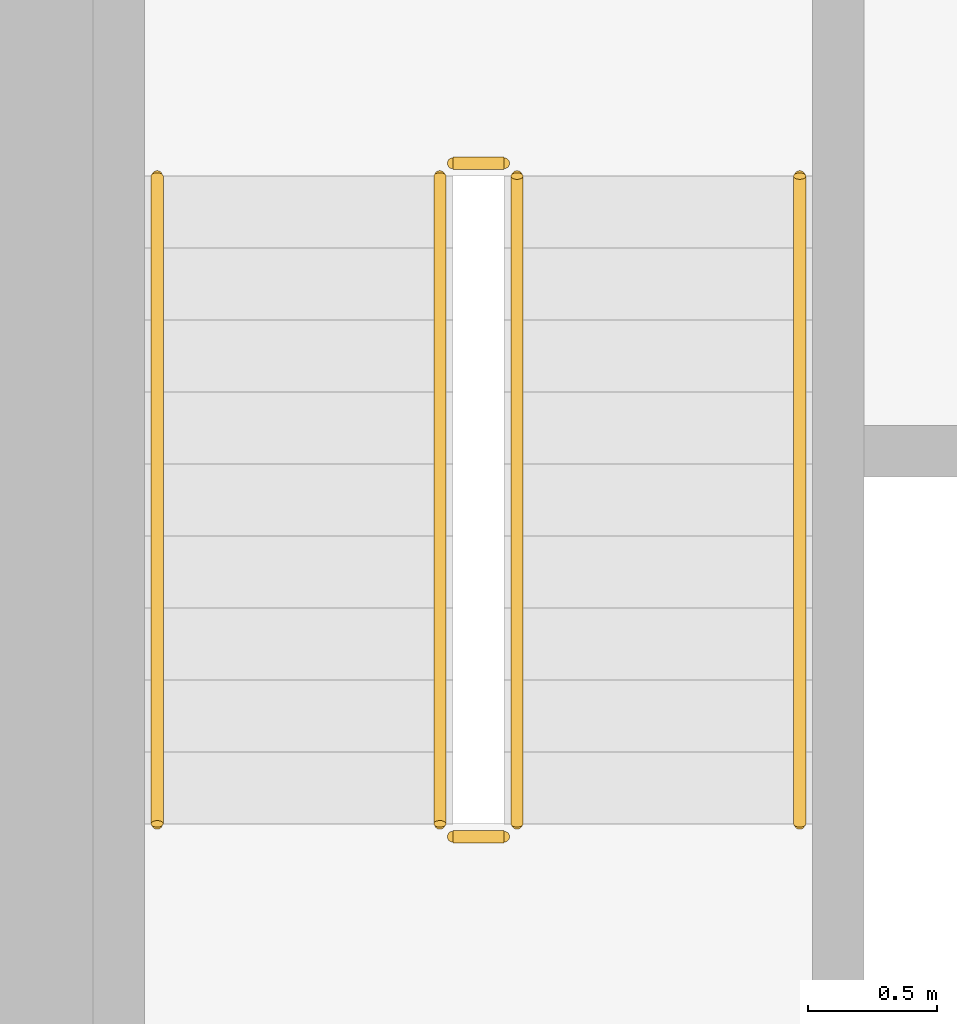
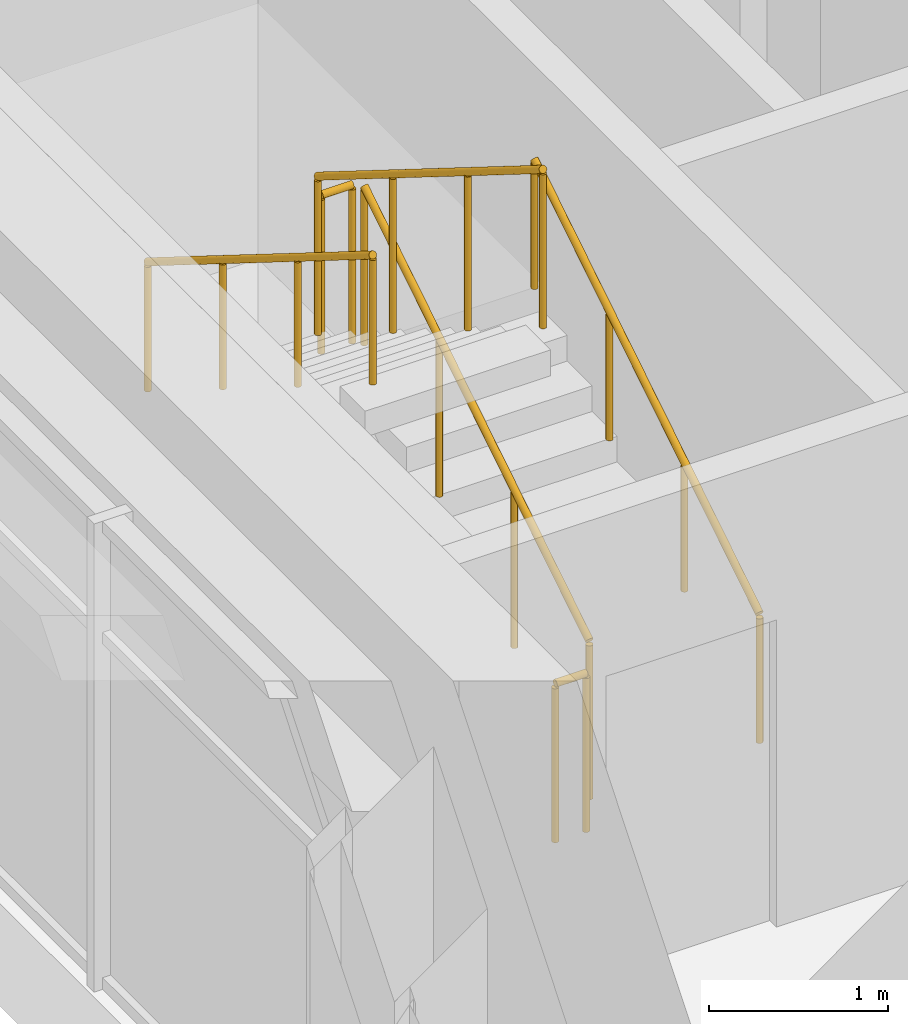
# One storey, part 13 of 16: 6 railings.
"""IFC4 building model written with IfcOpenShell, lengths in metres."""

from ifc_helpers import new_model, si_unit, direction, frame, origin, origin_2d, place, context, subcontext, project, spatial, circle, extrude, material, type_object, element, save


model = new_model("IFC4")

# Units and contexts
model_context = context("Model", 3, precision=1e-05, world=origin(), true_north=direction((0.0, 1.0)))
body_context = subcontext(model_context, "Body", "Model", "MODEL_VIEW")
ifc_project = project(units=[si_unit("LENGTHUNIT", "METRE"), si_unit("AREAUNIT", "SQUARE_METRE"), si_unit("VOLUMEUNIT", "CUBIC_METRE"), si_unit("PLANEANGLEUNIT", "RADIAN"), si_unit("MASSUNIT", "GRAM", prefix="KILO")], contexts=[model_context])

# Site, building, storey
site_placement = place(None, origin())
site = spatial("IfcSite", under=ifc_project, at=site_placement, CompositionType="ELEMENT")
building_placement = place(site_placement, origin())
building = spatial("IfcBuilding", under=site, at=building_placement, Name="Kiln Ring Residences", CompositionType="ELEMENT")
storey_placement = place(building_placement, frame((0.0, 0.0, 313.89990234375)))
storey = spatial("IfcBuildingStorey", under=building, at=storey_placement, Name="L81 Crown", CompositionType="ELEMENT", Elevation=313.89990234375)

# Railings
ifc_material_1 = material(Name="Stainless steel", Category="steel")
railing_type_1 = type_object("IfcRailingType", Name="CORE-STAIR-GUARD", PredefinedType="GUARDRAIL", material=ifc_material_1)
railing_1_placement = place(storey_placement, frame((-21.949951171875, -8.39990234375, 0.175048828125)))
element("IfcRailing", 1, at=railing_1_placement, inside=storey, type_object=railing_type_1, Name="L81 Crown W-STS stair guard 1", PredefinedType="GUARDRAIL", context=body_context, shape_type="SweptSolid", body=[
    extrude(circle(Radius=0.02392578125, at=origin_2d()), frame((0.0, 0.0, 1.076171875), z_axis=(0.0, 0.848007534815, 0.529984170421), x_axis=(-1.0, 0.0, 0.0)), (0.0, 0.0, 1.0), 2.9716796875),
    extrude(circle(Radius=0.02099609375, at=origin_2d()), origin(), (0.0, 0.0, 1.0), 1.052001953125),
    extrude(circle(Radius=0.02099609375, at=origin_2d()), frame((0.0, 0.840087890625, 0.52490234375)), (0.0, 0.0, 1.0), 1.052001953125),
    extrude(circle(Radius=0.02099609375, at=origin_2d()), frame((0.0, 1.679931640625, 1.050048828125)), (0.0, 0.0, 1.0), 1.052001953125),
    extrude(circle(Radius=0.02099609375, at=origin_2d()), frame((0.0, 2.52001953125, 1.574951171875)), (0.0, 0.0, 1.0), 1.052001953125),
])
railing_2_placement = place(storey_placement, frame((-22.0, -5.830078125, 1.75)))
element("IfcRailing", 2, at=railing_2_placement, inside=storey, type_object=railing_type_1, Name="L81 Crown W-STS stair guard 2", PredefinedType="GUARDRAIL", context=body_context, shape_type="SweptSolid", body=[
    extrude(circle(Radius=0.02392578125, at=origin_2d()), frame((0.0, 0.0, 1.076171875), z_axis=(-1.0, 0.0, 0.0), x_axis=(0.0, -1.0, 0.0)), (0.0, 0.0, 1.0), 0.199951171875),
    extrude(circle(Radius=0.02099609375, at=origin_2d()), origin(), (0.0, 0.0, 1.0), 1.052001953125),
    extrude(circle(Radius=0.02099609375, at=origin_2d()), frame((-0.199951171875, 0.0, 0.0)), (0.0, 0.0, 1.0), 1.052001953125),
])
railing_3_placement = place(storey_placement, frame((-22.25, -5.8798828125, 1.925048828125)))
element("IfcRailing", 3, at=railing_3_placement, inside=storey, type_object=railing_type_1, Name="L81 Crown W-STS stair guard 3", PredefinedType="GUARDRAIL", context=body_context, shape_type="SweptSolid", body=[
    extrude(circle(Radius=0.02392578125, at=origin_2d()), frame((0.0, 0.0, 1.076171875), z_axis=(0.0, -0.848007534815, 0.529984170421), x_axis=(1.0, 0.0, 0.0)), (0.0, 0.0, 1.0), 2.9716796875),
    extrude(circle(Radius=0.02099609375, at=origin_2d()), origin(), (0.0, 0.0, 1.0), 1.052001953125),
    extrude(circle(Radius=0.02099609375, at=origin_2d()), frame((0.0, -0.840087890625, 0.52490234375)), (0.0, 0.0, 1.0), 1.052001953125),
    extrude(circle(Radius=0.02099609375, at=origin_2d()), frame((0.0, -1.679931640625, 1.050048828125)), (0.0, 0.0, 1.0), 1.052001953125),
    extrude(circle(Radius=0.02099609375, at=origin_2d()), frame((0.0, -2.52001953125, 1.574951171875)), (0.0, 0.0, 1.0), 1.052001953125),
])
railing_4_placement = place(storey_placement, frame((-22.0, -8.449951171875, 0.0)))
element("IfcRailing", 4, at=railing_4_placement, inside=storey, type_object=railing_type_1, Name="L81 Crown W-STS stair guard 4", PredefinedType="GUARDRAIL", context=body_context, shape_type="SweptSolid", body=[
    extrude(circle(Radius=0.02392578125, at=origin_2d()), frame((0.0, 0.0, 1.076171875), z_axis=(-1.0, 0.0, 0.0), x_axis=(0.0, -1.0, 0.0)), (0.0, 0.0, 1.0), 0.199951171875),
    extrude(circle(Radius=0.02099609375, at=origin_2d()), origin(), (0.0, 0.0, 1.0), 1.052001953125),
    extrude(circle(Radius=0.02099609375, at=origin_2d()), frame((-0.199951171875, 0.0, 0.0)), (0.0, 0.0, 1.0), 1.052001953125),
])
ifc_material_2 = material(Name="Stainless steel", Category="steel")
railing_type_2 = type_object("IfcRailingType", Name="CORE-STAIR-HANDRAIL", PredefinedType="HANDRAIL", material=ifc_material_2)
railing_5_placement = place(storey_placement, frame((-20.85009765625, -8.39990234375, 0.175048828125)))
element("IfcRailing", 5, at=railing_5_placement, inside=storey, type_object=railing_type_2, Name="L81 Crown W-STS stair handrail 1", PredefinedType="HANDRAIL", context=body_context, shape_type="SweptSolid", body=[
    extrude(circle(Radius=0.02392578125, at=origin_2d()), frame((0.0, 0.0, 0.8759765625), z_axis=(0.0, 0.848007534815, 0.529984170421), x_axis=(-1.0, 0.0, 0.0)), (0.0, 0.0, 1.0), 2.9716796875),
    extrude(circle(Radius=0.02099609375, at=origin_2d()), origin(), (0.0, 0.0, 1.0), 0.851806640625),
    extrude(circle(Radius=0.02099609375, at=origin_2d()), frame((0.0, 0.840087890625, 0.52490234375)), (0.0, 0.0, 1.0), 0.851806640625),
    extrude(circle(Radius=0.02099609375, at=origin_2d()), frame((0.0, 1.679931640625, 1.050048828125)), (0.0, 0.0, 1.0), 0.851806640625),
    extrude(circle(Radius=0.02099609375, at=origin_2d()), frame((0.0, 2.52001953125, 1.574951171875)), (0.0, 0.0, 1.0), 0.851806640625),
])
railing_6_placement = place(storey_placement, frame((-23.35009765625, -5.8798828125, 1.925048828125)))
element("IfcRailing", 6, at=railing_6_placement, inside=storey, type_object=railing_type_2, Name="L81 Crown W-STS stair handrail 2", PredefinedType="HANDRAIL", context=body_context, shape_type="SweptSolid", body=[
    extrude(circle(Radius=0.02392578125, at=origin_2d()), frame((0.0, 0.0, 0.8759765625), z_axis=(0.0, -0.848007534815, 0.529984170421), x_axis=(1.0, 0.0, 0.0)), (0.0, 0.0, 1.0), 2.9716796875),
    extrude(circle(Radius=0.02099609375, at=origin_2d()), origin(), (0.0, 0.0, 1.0), 0.851806640625),
    extrude(circle(Radius=0.02099609375, at=origin_2d()), frame((0.0, -0.840087890625, 0.52490234375)), (0.0, 0.0, 1.0), 0.851806640625),
    extrude(circle(Radius=0.02099609375, at=origin_2d()), frame((0.0, -1.679931640625, 1.050048828125)), (0.0, 0.0, 1.0), 0.851806640625),
    extrude(circle(Radius=0.02099609375, at=origin_2d()), frame((0.0, -2.52001953125, 1.574951171875)), (0.0, 0.0, 1.0), 0.851806640625),
])

save(model, "model.ifc")
